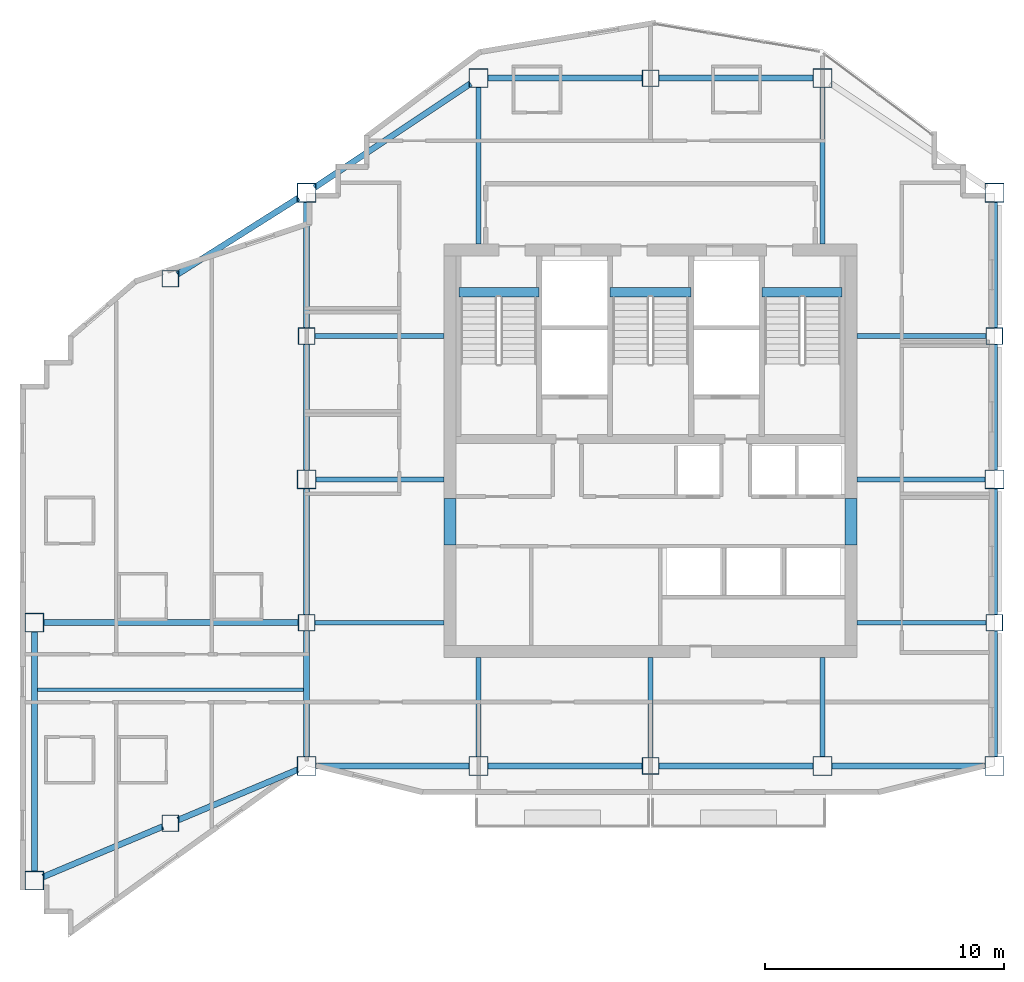
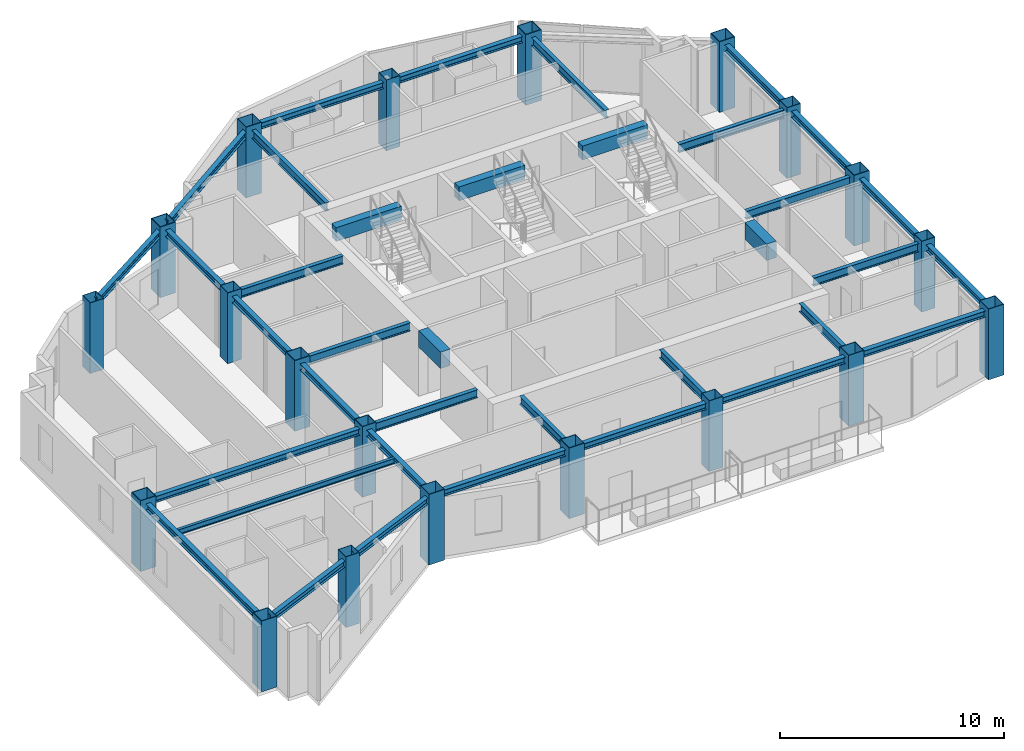
# One storey, part 1 of 9: 37 beams, 20 columns.
"""IFC4 building model written with IfcOpenShell, lengths in metres."""

from ifc_helpers import new_model, si_unit, direction, frame, origin, origin_2d, place, context, subcontext, project, spatial, rectangle, hollow_rectangle, i_section, extrude, material, material_profile, profile_set, type_object, element, save


model = new_model("IFC4")

# Units and contexts
model_context = context("Model", 3, precision=1e-05, world=origin(), true_north=direction((0.0, 1.0)))
body_context = subcontext(model_context, "Body", "Model", "MODEL_VIEW")
ifc_project = project(units=[si_unit("LENGTHUNIT", "METRE"), si_unit("AREAUNIT", "SQUARE_METRE"), si_unit("VOLUMEUNIT", "CUBIC_METRE"), si_unit("PLANEANGLEUNIT", "RADIAN"), si_unit("MASSUNIT", "GRAM", prefix="KILO")], contexts=[model_context])

# Site, building, storey
site_placement = place(None, origin())
site = spatial("IfcSite", under=ifc_project, at=site_placement, CompositionType="ELEMENT")
building_placement = place(site_placement, origin())
building = spatial("IfcBuilding", under=site, at=building_placement, Name="Haolan Belvedere Tower", CompositionType="ELEMENT")
storey_placement = place(building_placement, frame((0.0, 0.0, 273.699951171875)))
storey = spatial("IfcBuildingStorey", under=building, at=storey_placement, Name="L69", CompositionType="ELEMENT", Elevation=273.699951171875)

# Columns
ifc_material_1 = material(Name="Steel Q390GJC", Category="steel")
ifc_material_profile_1 = material_profile(ifc_material_1, hollow_rectangle(XDim=0.699951171875, YDim=0.699951171875, WallThickness=0.02587890625, at=origin_2d()), Name="Steel Q390GJC")
ifc_profile_set_1 = profile_set([ifc_material_profile_1], Name="Steel Q390GJC")
column_type_1 = type_object("IfcColumnType", Name="COL-BOX700x700x26", PredefinedType="COLUMN", material=ifc_profile_set_1)
for number, where, z_axis, x_axis, name in (
    (1, (24.0, 27.60009765625, 0.0), (0.0, 0.0, 1.0), (1.0, 0.0, 0.0), "L69 column TC-T3-W1 (BOX700x700x26)"),
    (2, (24.0, 39.60009765625, 0.0), (0.0, 0.0, 1.0), (1.0, 0.0, 0.0), "L69 column TC-T3-W2 (BOX700x700x26)"),
    (3, (52.800048828125, 27.60009765625, 0.0), (0.0, 0.0, 1.0), (1.0, 0.0, 0.0), "L69 column TC-T3-E1 (BOX700x700x26)"),
    (4, (52.800048828125, 39.60009765625, 0.0), (0.0, 0.0, 1.0), (1.0, 0.0, 0.0), "L69 column TC-T3-E2 (BOX700x700x26)"),
    (5, (38.39990234375, 21.60009765625, 0.0), (0.0, 0.0, 1.0), (1.0, 0.0, 0.0), "L69 column TC-T3-SM (BOX700x700x26)"),
    (6, (38.39990234375, 50.39990234375, 0.0), (0.0, 0.0, 1.0), (1.0, 0.0, 0.0), "L69 column TC-T3-NM (BOX700x700x26)"),
    (7, (18.300048828125, 19.199951171875, 0.0), (0.0, 0.0, 1.0), (1.0, 0.0, 0.0), "L69 column TC-T2-S1 (BOX700x700x26)"),
    (8, (18.300048828125, 42.0, 0.0), (0.0, 0.0, 1.0), (1.0, 0.0, 0.0), "L69 column TC-T2-N1 (BOX700x700x26)"),
):
    element("IfcColumn", number, at=place(storey_placement, frame(where, z_axis=z_axis, x_axis=x_axis)), inside=storey, type_object=column_type_1, Name=name, PredefinedType="COLUMN", context=body_context, shape_type="SweptSolid", body=[
        extrude(hollow_rectangle(XDim=0.699951171875, YDim=0.699951171875, WallThickness=0.02587890625, at=origin_2d()), origin(), (0.0, 0.0, 1.0), 3.85009765625),
    ])
ifc_material_profile_2 = material_profile(ifc_material_1, hollow_rectangle(XDim=0.800048828125, YDim=0.800048828125, WallThickness=0.030029296875, at=origin_2d()), Name="Steel Q390GJC")
ifc_profile_set_2 = profile_set([ifc_material_profile_2], Name="Steel Q390GJC")
column_type_2 = type_object("IfcColumnType", Name="COL-BOX800x800x30", PredefinedType="COLUMN", material=ifc_profile_set_2)
for number, where, z_axis, x_axis, name in (
    (9, (24.0, 21.60009765625, 0.0), (0.0, 0.0, 1.0), (1.0, 0.0, 0.0), "L69 column MC-T3-SW (BOX800x800x30)"),
    (10, (24.0, 33.60009765625, 0.0), (0.0, 0.0, 1.0), (1.0, 0.0, 0.0), "L69 column MC-T3-MW (BOX800x800x30)"),
    (11, (24.0, 45.60009765625, 0.0), (0.0, 0.0, 1.0), (1.0, 0.0, 0.0), "L69 column MC-T3-NW (BOX800x800x30)"),
    (12, (52.800048828125, 21.60009765625, 0.0), (0.0, 0.0, 1.0), (1.0, 0.0, 0.0), "L69 column MC-T3-SE (BOX800x800x30)"),
    (13, (52.800048828125, 33.60009765625, 0.0), (0.0, 0.0, 1.0), (1.0, 0.0, 0.0), "L69 column MC-T3-ME (BOX800x800x30)"),
    (14, (52.800048828125, 45.60009765625, 0.0), (0.0, 0.0, 1.0), (1.0, 0.0, 0.0), "L69 column MC-T3-NE (BOX800x800x30)"),
    (15, (31.199951171875, 21.60009765625, 0.0), (0.0, 0.0, 1.0), (1.0, 0.0, 0.0), "L69 column MC-T3-S1 (BOX800x800x30)"),
    (16, (45.60009765625, 21.60009765625, 0.0), (0.0, 0.0, 1.0), (1.0, 0.0, 0.0), "L69 column MC-T3-S2 (BOX800x800x30)"),
    (17, (31.199951171875, 50.39990234375, 0.0), (0.0, 0.0, 1.0), (1.0, 0.0, 0.0), "L69 column MC-T3-N1 (BOX800x800x30)"),
    (18, (45.60009765625, 50.39990234375, 0.0), (0.0, 0.0, 1.0), (1.0, 0.0, 0.0), "L69 column MC-T3-N2 (BOX800x800x30)"),
    (19, (12.60009765625, 16.800048828125, 0.0), (0.0, 0.0, 1.0), (1.0, 0.0, 0.0), "L69 column MC-T2-SW (BOX800x800x30)"),
    (20, (12.60009765625, 27.60009765625, 0.0), (0.0, 0.0, 1.0), (1.0, 0.0, 0.0), "L69 column MC-T2-MW (BOX800x800x30)"),
):
    element("IfcColumn", number, at=place(storey_placement, frame(where, z_axis=z_axis, x_axis=x_axis)), inside=storey, type_object=column_type_2, Name=name, PredefinedType="COLUMN", context=body_context, shape_type="SweptSolid", body=[
        extrude(hollow_rectangle(XDim=0.800048828125, YDim=0.800048828125, WallThickness=0.030029296875, at=origin_2d()), origin(), (0.0, 0.0, 1.0), 3.85009765625),
    ])

# Beams
ifc_material_2 = material(Name="Steel Q355B", Category="steel")
ifc_material_profile_3 = material_profile(ifc_material_2, i_section(OverallWidth=0.25, OverallDepth=0.340087890625, WebThickness=0.009033203125, FlangeThickness=0.013916015625, FilletRadius=0.02001953125, at=origin_2d()), Name="Steel Q355B")
ifc_profile_set_3 = profile_set([ifc_material_profile_3], Name="Steel Q355B")
beam_type_1 = type_object("IfcBeamType", Name="BM-HM340x250x9x14", PredefinedType="SPANDREL", material=ifc_profile_set_3)
for number, where, z_axis, x_axis, name in (
    (21, (24.0, 22.0, 3.420166015625), (0.0, 1.0, 0.0), (-1.0, 0.0, 0.0), "L69 spandrel girder MC-T3-SW-TC-T3-W1"),
    (22, (24.0, 27.949951171875, 3.420166015625), (0.0, 1.0, 0.0), (-1.0, 0.0, 0.0), "L69 spandrel girder TC-T3-W1-MC-T3-MW"),
    (23, (24.0, 34.0, 3.420166015625), (0.0, 1.0, 0.0), (-1.0, 0.0, 0.0), "L69 spandrel girder MC-T3-MW-TC-T3-W2"),
    (24, (24.0, 39.949951171875, 3.420166015625), (0.0, 1.0, 0.0), (-1.0, 0.0, 0.0), "L69 spandrel girder TC-T3-W2-MC-T3-NW"),
    (25, (52.800048828125, 22.0, 3.420166015625), (0.0, 1.0, 0.0), (-1.0, 0.0, 0.0), "L69 spandrel girder MC-T3-SE-TC-T3-E1"),
    (26, (52.800048828125, 27.949951171875, 3.420166015625), (0.0, 1.0, 0.0), (-1.0, 0.0, 0.0), "L69 spandrel girder TC-T3-E1-MC-T3-ME"),
    (27, (52.800048828125, 34.0, 3.420166015625), (0.0, 1.0, 0.0), (-1.0, 0.0, 0.0), "L69 spandrel girder MC-T3-ME-TC-T3-E2"),
    (28, (52.800048828125, 39.949951171875, 3.420166015625), (0.0, 1.0, 0.0), (-1.0, 0.0, 0.0), "L69 spandrel girder TC-T3-E2-MC-T3-NE"),
):
    element("IfcBeam", number, at=place(storey_placement, frame(where, z_axis=z_axis, x_axis=x_axis)), inside=storey, type_object=beam_type_1, Name=name, PredefinedType="SPANDREL", context=body_context, shape_type="SweptSolid", body=[
        extrude(i_section(OverallWidth=0.25, OverallDepth=0.340087890625, WebThickness=0.009033203125, FlangeThickness=0.013916015625, FilletRadius=0.02001953125, at=origin_2d()), origin(), (0.0, 0.0, 1.0), 5.25),
    ])
beam_1_placement = place(storey_placement, frame((24.39990234375, 21.60009765625, 3.420166015625), z_axis=(1.0, 0.0, 0.0), x_axis=(0.0, 1.0, 0.0)))
element("IfcBeam", 29, at=beam_1_placement, inside=storey, type_object=beam_type_1, Name="L69 spandrel girder MC-T3-SW-MC-T3-S1", PredefinedType="SPANDREL", context=body_context, shape_type="SweptSolid", body=[
    extrude(i_section(OverallWidth=0.25, OverallDepth=0.340087890625, WebThickness=0.009033203125, FlangeThickness=0.013916015625, FilletRadius=0.02001953125, at=origin_2d()), origin(), (0.0, 0.0, 1.0), 6.400146484375),
])
for number, where, z_axis, x_axis, name in (
    (30, (31.60009765625, 21.60009765625, 3.420166015625), (1.0, 0.0, 0.0), (0.0, 1.0, 0.0), "L69 spandrel girder MC-T3-S1-TC-T3-SM"),
    (31, (38.75, 21.60009765625, 3.420166015625), (1.0, 0.0, 0.0), (0.0, 1.0, 0.0), "L69 spandrel girder TC-T3-SM-MC-T3-S2"),
):
    element("IfcBeam", number, at=place(storey_placement, frame(where, z_axis=z_axis, x_axis=x_axis)), inside=storey, type_object=beam_type_1, Name=name, PredefinedType="SPANDREL", context=body_context, shape_type="SweptSolid", body=[
        extrude(i_section(OverallWidth=0.25, OverallDepth=0.340087890625, WebThickness=0.009033203125, FlangeThickness=0.013916015625, FilletRadius=0.02001953125, at=origin_2d()), origin(), (0.0, 0.0, 1.0), 6.449951171875),
    ])
beam_2_placement = place(storey_placement, frame((46.0, 21.60009765625, 3.420166015625), z_axis=(1.0, 0.0, 0.0), x_axis=(0.0, 1.0, 0.0)))
element("IfcBeam", 32, at=beam_2_placement, inside=storey, type_object=beam_type_1, Name="L69 spandrel girder MC-T3-S2-MC-T3-SE", PredefinedType="SPANDREL", context=body_context, shape_type="SweptSolid", body=[
    extrude(i_section(OverallWidth=0.25, OverallDepth=0.340087890625, WebThickness=0.009033203125, FlangeThickness=0.013916015625, FilletRadius=0.02001953125, at=origin_2d()), origin(), (0.0, 0.0, 1.0), 6.39990234375),
])
beam_3_placement = place(storey_placement, frame((24.332763671875, 45.82177734375, 3.420166015625), z_axis=(0.832040729016, 0.55471454394, 0.0), x_axis=(-0.55471454394, 0.832040729016, 0.0)))
element("IfcBeam", 33, at=beam_3_placement, inside=storey, type_object=beam_type_1, Name="L69 spandrel girder MC-T3-NW-MC-T3-N1", PredefinedType="SPANDREL", context=body_context, shape_type="SweptSolid", body=[
    extrude(i_section(OverallWidth=0.25, OverallDepth=0.340087890625, WebThickness=0.009033203125, FlangeThickness=0.013916015625, FilletRadius=0.02001953125, at=origin_2d()), origin(), (0.0, 0.0, 1.0), 7.853515625),
])
for number, where, z_axis, x_axis, name in (
    (34, (31.60009765625, 50.39990234375, 3.420166015625), (1.0, 0.0, 0.0), (0.0, 1.0, 0.0), "L69 spandrel girder MC-T3-N1-TC-T3-NM"),
    (35, (38.75, 50.39990234375, 3.420166015625), (1.0, 0.0, 0.0), (0.0, 1.0, 0.0), "L69 spandrel girder TC-T3-NM-MC-T3-N2"),
):
    element("IfcBeam", number, at=place(storey_placement, frame(where, z_axis=z_axis, x_axis=x_axis)), inside=storey, type_object=beam_type_1, Name=name, PredefinedType="SPANDREL", context=body_context, shape_type="SweptSolid", body=[
        extrude(i_section(OverallWidth=0.25, OverallDepth=0.340087890625, WebThickness=0.009033203125, FlangeThickness=0.013916015625, FilletRadius=0.02001953125, at=origin_2d()), origin(), (0.0, 0.0, 1.0), 6.449951171875),
    ])
beam_4_placement = place(storey_placement, frame((12.60009765625, 17.199951171875, 3.420166015625), z_axis=(0.0, 1.0, 0.0), x_axis=(-1.0, 0.0, 0.0)))
element("IfcBeam", 36, at=beam_4_placement, inside=storey, type_object=beam_type_1, Name="L69 spandrel girder MC-T2-SW-MC-T2-MW", PredefinedType="SPANDREL", context=body_context, shape_type="SweptSolid", body=[
    extrude(i_section(OverallWidth=0.25, OverallDepth=0.340087890625, WebThickness=0.009033203125, FlangeThickness=0.013916015625, FilletRadius=0.02001953125, at=origin_2d()), origin(), (0.0, 0.0, 1.0), 10.0),
])
for number, where, z_axis, x_axis, name in (
    (37, (12.96875, 16.955322265625, 3.420166015625), (0.921640448717, 0.388044950088, 0.0), (-0.388044950088, 0.921640448717, 0.0), "L69 spandrel girder MC-T2-SW-TC-T2-S1"),
    (38, (18.62255859375, 19.3359375, 3.420166015625), (0.921640448717, 0.388044950088, 0.0), (-0.388044950088, 0.921640448717, 0.0), "L69 spandrel girder TC-T2-S1-MC-T3-SW"),
):
    element("IfcBeam", number, at=place(storey_placement, frame(where, z_axis=z_axis, x_axis=x_axis)), inside=storey, type_object=beam_type_1, Name=name, PredefinedType="SPANDREL", context=body_context, shape_type="SweptSolid", body=[
        extrude(i_section(OverallWidth=0.25, OverallDepth=0.340087890625, WebThickness=0.009033203125, FlangeThickness=0.013916015625, FilletRadius=0.02001953125, at=origin_2d()), origin(), (0.0, 0.0, 1.0), 5.4345703125),
    ])
beam_5_placement = place(storey_placement, frame((18.595947265625, 42.18701171875, 3.420166015625), z_axis=(0.845493744187, 0.533985326148, 0.0), x_axis=(-0.533985326148, 0.845493744187, 0.0)))
element("IfcBeam", 39, at=beam_5_placement, inside=storey, type_object=beam_type_1, Name="L69 spandrel girder TC-T2-N1-MC-T3-NW", PredefinedType="SPANDREL", context=body_context, shape_type="SweptSolid", body=[
    extrude(i_section(OverallWidth=0.25, OverallDepth=0.340087890625, WebThickness=0.009033203125, FlangeThickness=0.013916015625, FilletRadius=0.02001953125, at=origin_2d()), origin(), (0.0, 0.0, 1.0), 5.99169921875),
])
beam_6_placement = place(storey_placement, frame((13.0, 27.60009765625, 3.420166015625), z_axis=(1.0, 0.0, 0.0), x_axis=(0.0, 1.0, 0.0)))
element("IfcBeam", 40, at=beam_6_placement, inside=storey, type_object=beam_type_1, Name="L69 spandrel girder MC-T2-MW-TC-T3-W1", PredefinedType="SPANDREL", context=body_context, shape_type="SweptSolid", body=[
    extrude(i_section(OverallWidth=0.25, OverallDepth=0.340087890625, WebThickness=0.009033203125, FlangeThickness=0.013916015625, FilletRadius=0.02001953125, at=origin_2d()), origin(), (0.0, 0.0, 1.0), 10.64990234375),
])
ifc_material_profile_4 = material_profile(ifc_material_2, i_section(OverallWidth=0.14990234375, OverallDepth=0.300048828125, WebThickness=0.006591796875, FlangeThickness=0.009033203125, FilletRadius=0.012939453125, at=origin_2d()), Name="Steel Q355B")
ifc_profile_set_4 = profile_set([ifc_material_profile_4], Name="Steel Q355B")
beam_type_2 = type_object("IfcBeamType", Name="BM-HN300x150x6.5x9", PredefinedType="JOIST", material=ifc_profile_set_4)
beam_7_placement = place(storey_placement, frame((12.72509765625, 24.800048828125, 3.43994140625), z_axis=(1.0, 0.0, 0.0), x_axis=(0.0, 1.0, 0.0)))
element("IfcBeam", 41, at=beam_7_placement, inside=storey, type_object=beam_type_2, Name="L69 west wing floor joist 1", PredefinedType="JOIST", context=body_context, shape_type="SweptSolid", body=[
    extrude(i_section(OverallWidth=0.14990234375, OverallDepth=0.300048828125, WebThickness=0.006591796875, FlangeThickness=0.009033203125, FilletRadius=0.012939453125, at=origin_2d()), origin(), (0.0, 0.0, 1.0), 11.14990234375),
])
ifc_material_profile_5 = material_profile(ifc_material_2, i_section(OverallWidth=0.199951171875, OverallDepth=0.449951171875, WebThickness=0.009033203125, FlangeThickness=0.013916015625, FilletRadius=0.01611328125, at=origin_2d()), Name="Steel Q355B")
ifc_profile_set_5 = profile_set([ifc_material_profile_5], Name="Steel Q355B")
beam_type_3 = type_object("IfcBeamType", Name="BM-HN450x200x9x14", PredefinedType="BEAM", material=ifc_profile_set_5)
beam_8_placement = place(storey_placement, frame((24.39990234375, 33.60009765625, 3.364990234375), z_axis=(1.0, 0.0, 0.0), x_axis=(0.0, 1.0, 0.0)))
element("IfcBeam", 42, at=beam_8_placement, inside=storey, type_object=beam_type_3, Name="L69 core tie beam from MC-T3-MW", PredefinedType="BEAM", context=body_context, shape_type="SweptSolid", body=[
    extrude(i_section(OverallWidth=0.199951171875, OverallDepth=0.449951171875, WebThickness=0.009033203125, FlangeThickness=0.013916015625, FilletRadius=0.01611328125, at=origin_2d()), origin(), (0.0, 0.0, 1.0), 5.35009765625),
])
for number, where, z_axis, x_axis, name in (
    (43, (24.35009765625, 27.60009765625, 3.364990234375), (1.0, 0.0, 0.0), (0.0, 1.0, 0.0), "L69 core tie beam from TC-T3-W1"),
    (44, (24.35009765625, 39.60009765625, 3.364990234375), (1.0, 0.0, 0.0), (0.0, 1.0, 0.0), "L69 core tie beam from TC-T3-W2"),
):
    element("IfcBeam", number, at=place(storey_placement, frame(where, z_axis=z_axis, x_axis=x_axis)), inside=storey, type_object=beam_type_3, Name=name, PredefinedType="BEAM", context=body_context, shape_type="SweptSolid", body=[
        extrude(i_section(OverallWidth=0.199951171875, OverallDepth=0.449951171875, WebThickness=0.009033203125, FlangeThickness=0.013916015625, FilletRadius=0.01611328125, at=origin_2d()), origin(), (0.0, 0.0, 1.0), 5.39990234375),
    ])
beam_9_placement = place(storey_placement, frame((52.39990234375, 33.60009765625, 3.364990234375), z_axis=(-1.0, 0.0, 0.0), x_axis=(0.0, -1.0, 0.0)))
element("IfcBeam", 45, at=beam_9_placement, inside=storey, type_object=beam_type_3, Name="L69 core tie beam from MC-T3-ME", PredefinedType="BEAM", context=body_context, shape_type="SweptSolid", body=[
    extrude(i_section(OverallWidth=0.199951171875, OverallDepth=0.449951171875, WebThickness=0.009033203125, FlangeThickness=0.013916015625, FilletRadius=0.01611328125, at=origin_2d()), origin(), (0.0, 0.0, 1.0), 5.349853515625),
])
for number, where, z_axis, x_axis, name in (
    (46, (52.449951171875, 27.60009765625, 3.364990234375), (-1.0, 0.0, 0.0), (0.0, -1.0, 0.0), "L69 core tie beam from TC-T3-E1"),
    (47, (52.449951171875, 39.60009765625, 3.364990234375), (-1.0, 0.0, 0.0), (0.0, -1.0, 0.0), "L69 core tie beam from TC-T3-E2"),
):
    element("IfcBeam", number, at=place(storey_placement, frame(where, z_axis=z_axis, x_axis=x_axis)), inside=storey, type_object=beam_type_3, Name=name, PredefinedType="BEAM", context=body_context, shape_type="SweptSolid", body=[
        extrude(i_section(OverallWidth=0.199951171875, OverallDepth=0.449951171875, WebThickness=0.009033203125, FlangeThickness=0.013916015625, FilletRadius=0.01611328125, at=origin_2d()), origin(), (0.0, 0.0, 1.0), 5.39990234375),
    ])
beam_10_placement = place(storey_placement, frame((31.199951171875, 22.0, 3.364990234375), z_axis=(0.0, 1.0, 0.0), x_axis=(-1.0, 0.0, 0.0)))
element("IfcBeam", 48, at=beam_10_placement, inside=storey, type_object=beam_type_3, Name="L69 core tie beam from MC-T3-S1", PredefinedType="BEAM", context=body_context, shape_type="SweptSolid", body=[
    extrude(i_section(OverallWidth=0.199951171875, OverallDepth=0.449951171875, WebThickness=0.009033203125, FlangeThickness=0.013916015625, FilletRadius=0.01611328125, at=origin_2d()), origin(), (0.0, 0.0, 1.0), 4.14990234375),
])
beam_11_placement = place(storey_placement, frame((38.39990234375, 21.949951171875, 3.364990234375), z_axis=(0.0, 1.0, 0.0), x_axis=(-1.0, 0.0, 0.0)))
element("IfcBeam", 49, at=beam_11_placement, inside=storey, type_object=beam_type_3, Name="L69 core tie beam from TC-T3-SM", PredefinedType="BEAM", context=body_context, shape_type="SweptSolid", body=[
    extrude(i_section(OverallWidth=0.199951171875, OverallDepth=0.449951171875, WebThickness=0.009033203125, FlangeThickness=0.013916015625, FilletRadius=0.01611328125, at=origin_2d()), origin(), (0.0, 0.0, 1.0), 4.199951171875),
])
beam_12_placement = place(storey_placement, frame((45.60009765625, 22.0, 3.364990234375), z_axis=(0.0, 1.0, 0.0), x_axis=(-1.0, 0.0, 0.0)))
element("IfcBeam", 50, at=beam_12_placement, inside=storey, type_object=beam_type_3, Name="L69 core tie beam from MC-T3-S2", PredefinedType="BEAM", context=body_context, shape_type="SweptSolid", body=[
    extrude(i_section(OverallWidth=0.199951171875, OverallDepth=0.449951171875, WebThickness=0.009033203125, FlangeThickness=0.013916015625, FilletRadius=0.01611328125, at=origin_2d()), origin(), (0.0, 0.0, 1.0), 4.14990234375),
])
for number, where, z_axis, x_axis, name in (
    (51, (31.199951171875, 50.0, 3.364990234375), (0.0, -1.0, 0.0), (1.0, 0.0, 0.0), "L69 core tie beam from MC-T3-N1"),
    (52, (45.60009765625, 50.0, 3.364990234375), (0.0, -1.0, 0.0), (1.0, 0.0, 0.0), "L69 core tie beam from MC-T3-N2"),
):
    element("IfcBeam", number, at=place(storey_placement, frame(where, z_axis=z_axis, x_axis=x_axis)), inside=storey, type_object=beam_type_3, Name=name, PredefinedType="BEAM", context=body_context, shape_type="SweptSolid", body=[
        extrude(i_section(OverallWidth=0.199951171875, OverallDepth=0.449951171875, WebThickness=0.009033203125, FlangeThickness=0.013916015625, FilletRadius=0.01611328125, at=origin_2d()), origin(), (0.0, 0.0, 1.0), 6.550048828125),
    ])
ifc_material_3 = material(Name="Concrete C50/60", Category="concrete")
ifc_material_profile_6 = material_profile(ifc_material_3, rectangle(XDim=0.39990234375, YDim=0.75, at=origin_2d()), Name="Concrete C50/60")
ifc_profile_set_6 = profile_set([ifc_material_profile_6], Name="Concrete C50/60")
beam_type_4 = type_object("IfcBeamType", Name="BM-RC400x750", PredefinedType="T_BEAM", material=ifc_profile_set_6)
beam_13_placement = place(storey_placement, frame((30.3798828125, 41.429931640625, 3.47509765625), z_axis=(1.0, 0.0, 0.0), x_axis=(0.0, 1.0, 0.0)))
element("IfcBeam", 53, at=beam_13_placement, inside=storey, type_object=beam_type_4, Name="L70 stair ST1 RC header trimmer beam", PredefinedType="BEAM", context=body_context, shape_type="SweptSolid", body=[
    extrude(rectangle(XDim=0.39990234375, YDim=0.75, at=origin_2d()), origin(), (0.0, 0.0, 1.0), 3.360107421875),
])
beam_14_placement = place(storey_placement, frame((36.699951171875, 41.429931640625, 3.47509765625), z_axis=(1.0, 0.0, 0.0), x_axis=(0.0, 1.0, 0.0)))
element("IfcBeam", 54, at=beam_14_placement, inside=storey, type_object=beam_type_4, Name="L70 stair ST3 RC header trimmer beam", PredefinedType="BEAM", context=body_context, shape_type="SweptSolid", body=[
    extrude(rectangle(XDim=0.39990234375, YDim=0.75, at=origin_2d()), origin(), (0.0, 0.0, 1.0), 3.400146484375),
])
beam_15_placement = place(storey_placement, frame((43.06005859375, 41.429931640625, 3.47509765625), z_axis=(1.0, 0.0, 0.0), x_axis=(0.0, 1.0, 0.0)))
element("IfcBeam", 55, at=beam_15_placement, inside=storey, type_object=beam_type_4, Name="L70 stair ST2 RC header trimmer beam", PredefinedType="BEAM", context=body_context, shape_type="SweptSolid", body=[
    extrude(rectangle(XDim=0.39990234375, YDim=0.75, at=origin_2d()), origin(), (0.0, 0.0, 1.0), 3.35986328125),
])
ifc_material_4 = material(Name="Concrete C60/75", Category="concrete")
ifc_material_profile_7 = material_profile(ifc_material_4, rectangle(XDim=0.5, YDim=0.89990234375, at=origin_2d()), Name="Concrete C60/75")
ifc_profile_set_7 = profile_set([ifc_material_profile_7], Name="Concrete C60/75")
beam_type_5 = type_object("IfcBeamType", Name="BM-RC500x900", PredefinedType="LINTEL", material=ifc_profile_set_7)
for number, where, z_axis, x_axis, name in (
    (56, (30.0, 30.85009765625, 3.14013671875), (0.0, 1.0, 0.0), (-1.0, 0.0, 0.0), "L69 west core coupling beam CB-01"),
    (57, (46.800048828125, 30.85009765625, 3.14013671875), (0.0, 1.0, 0.0), (-1.0, 0.0, 0.0), "L69 east core coupling beam CB-01"),
):
    element("IfcBeam", number, at=place(storey_placement, frame(where, z_axis=z_axis, x_axis=x_axis)), inside=storey, type_object=beam_type_5, Name=name, PredefinedType="LINTEL", context=body_context, shape_type="SweptSolid", body=[
        extrude(rectangle(XDim=0.5, YDim=0.89990234375, at=origin_2d()), origin(), (0.0, 0.0, 1.0), 1.949951171875),
    ])

save(model, "model.ifc")
